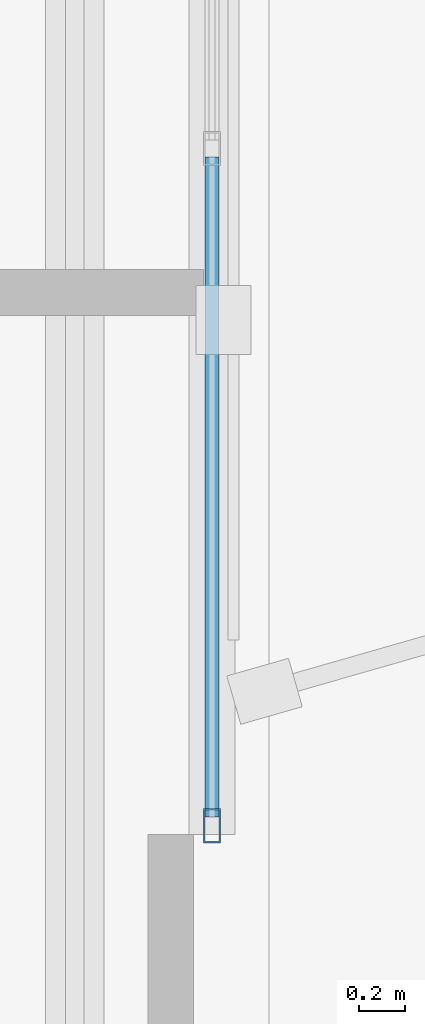
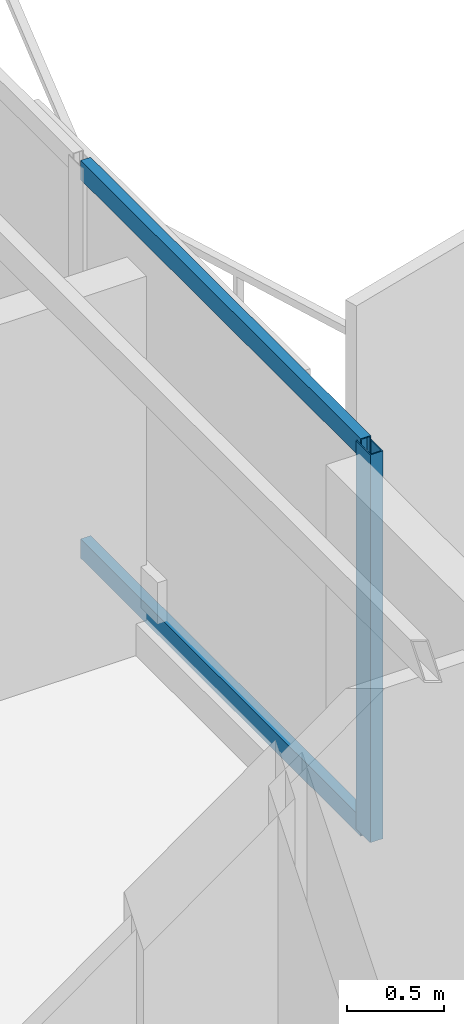
# One storey, part 6 of 21: 3 members, 1 element without a shape of its own.
"""IFC4 building model written with IfcOpenShell, lengths in metres."""

from ifc_helpers import new_model, si_unit, direction, frame, origin, origin_2d, place, context, subcontext, project, spatial, hollow_rectangle, extrude, material, layer, layer_set, material_profile, profile_set, type_object, element, aggregate, save


model = new_model("IFC4")

# Units and contexts
model_context = context("Model", 3, precision=1e-05, world=origin(), true_north=direction((0.0, 1.0)))
body_context = subcontext(model_context, "Body", "Model", "MODEL_VIEW")
ifc_project = project(units=[si_unit("LENGTHUNIT", "METRE"), si_unit("AREAUNIT", "SQUARE_METRE"), si_unit("VOLUMEUNIT", "CUBIC_METRE"), si_unit("PLANEANGLEUNIT", "RADIAN"), si_unit("MASSUNIT", "GRAM", prefix="KILO")], contexts=[model_context])

# Site, building, storey
site_placement = place(None, origin())
site = spatial("IfcSite", under=ifc_project, at=site_placement, CompositionType="ELEMENT")
building_placement = place(site_placement, origin())
building = spatial("IfcBuilding", under=site, at=building_placement, Name="Mersakhor Tower and Convention Hall", CompositionType="ELEMENT")
storey_placement = place(building_placement, frame((0.0, 0.0, 215.10009765625)))
storey = spatial("IfcBuildingStorey", under=building, at=storey_placement, Name="L60", CompositionType="ELEMENT", Elevation=215.10009765625)

# Curtain wall, members
ifc_material_1 = material(Name="Dark solar low-E aluminium curtain wall", Category="aluminium")
ifc_layer = layer(ifc_material_1, 0.169921875)
ifc_layer_set = layer_set([ifc_layer], Name="Dark solar low-E aluminium curtain wall")
curtain_wall_type = type_object("IfcCurtainWallType", Name="CW-SYS-02", PredefinedType="USERDEFINED", material=ifc_layer_set)
curtain_wall_placement = place(storey_placement, origin())
curtain_wall = element("IfcCurtainWall", 1, at=curtain_wall_placement, inside=storey, type_object=curtain_wall_type, Name="L60 Dark-Glass Curtain Wall F2-B2", ObjectType="CURTAIN WALL", PredefinedType="USERDEFINED")
ifc_material_2 = material(Name="Anodised aluminium EN AW-6063 T6", Category="aluminium")
ifc_material_profile_1 = material_profile(ifc_material_2, hollow_rectangle(XDim=0.074951171875, YDim=0.14990234375, WallThickness=0.00634765625, at=origin_2d()), Name="RHS 150x75x6.3")
ifc_profile_set_1 = profile_set([ifc_material_profile_1], Name="Anodised aluminium EN AW-6063 T6")
member_type_1 = type_object("IfcMemberType", Name="CWM-150x75", PredefinedType="MULLION", material=ifc_profile_set_1)
member_1_placement = place(storey_placement, frame((40.58837890625, 22.2880859375, 0.199951171875), z_axis=(0.0, 0.0, 1.0), x_axis=(1.0, 0.0, 0.0)))
member_1 = element("IfcMember", 2, at=member_1_placement, type_object=member_type_1, Name="CW-02 mullion 4", PredefinedType="MULLION", context=body_context, shape_type="SweptSolid", body=[
    extrude(hollow_rectangle(XDim=0.074951171875, YDim=0.14990234375, WallThickness=0.00634765625, at=origin_2d()), origin(), (0.0, 0.0, 1.0), 2.43994140625),
])
ifc_material_3 = material(Name="Anodised aluminium EN AW-6063 T6", Category="aluminium")
ifc_material_profile_2 = material_profile(ifc_material_3, hollow_rectangle(XDim=0.06005859375, YDim=0.1201171875, WallThickness=0.0048828125, at=origin_2d()), Name="RHS 120x60x5")
ifc_profile_set_2 = profile_set([ifc_material_profile_2], Name="Anodised aluminium EN AW-6063 T6")
member_type_2 = type_object("IfcMemberType", Name="CWT-120x60", PredefinedType="USERDEFINED", material=ifc_profile_set_2)
member_2_placement = place(storey_placement, frame((40.58837890625, 25.212646484375, 0.22998046875), z_axis=(0.0, -1.0, 0.0), x_axis=(1.0, 0.0, 0.0)))
member_2 = element("IfcMember", 3, at=member_2_placement, type_object=member_type_2, Name="CW-02 transom 3.1", ObjectType="TRANSOM", PredefinedType="USERDEFINED", context=body_context, shape_type="SweptSolid", body=[
    extrude(hollow_rectangle(XDim=0.06005859375, YDim=0.1201171875, WallThickness=0.0048828125, at=origin_2d()), origin(), (0.0, 0.0, 1.0), 2.88720703125),
])
member_3_placement = place(storey_placement, frame((40.58837890625, 25.212646484375, 2.60986328125), z_axis=(0.0, -1.0, 0.0), x_axis=(1.0, 0.0, 0.0)))
member_3 = element("IfcMember", 4, at=member_3_placement, type_object=member_type_2, Name="CW-02 transom 3.2", ObjectType="TRANSOM", PredefinedType="USERDEFINED", context=body_context, shape_type="SweptSolid", body=[
    extrude(hollow_rectangle(XDim=0.06005859375, YDim=0.1201171875, WallThickness=0.0048828125, at=origin_2d()), origin(), (0.0, 0.0, 1.0), 2.88720703125),
])
aggregate(curtain_wall, [member_1, member_2, member_3])

save(model, "model.ifc")
